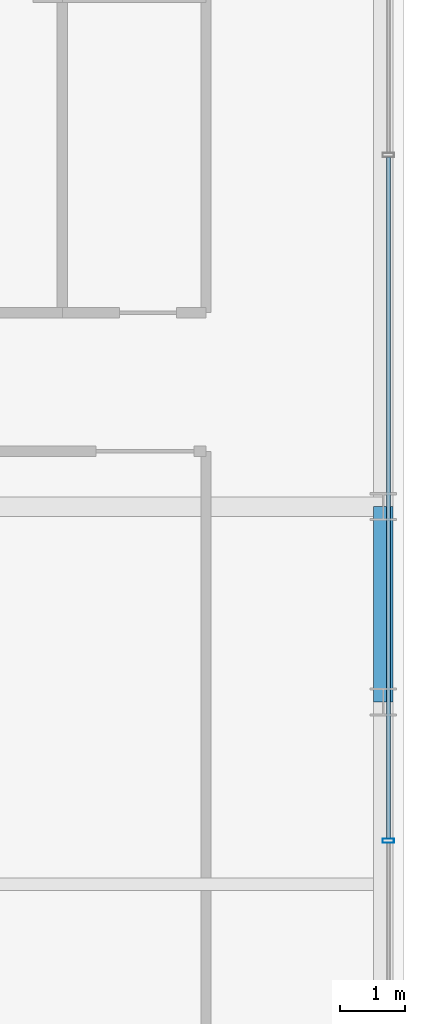
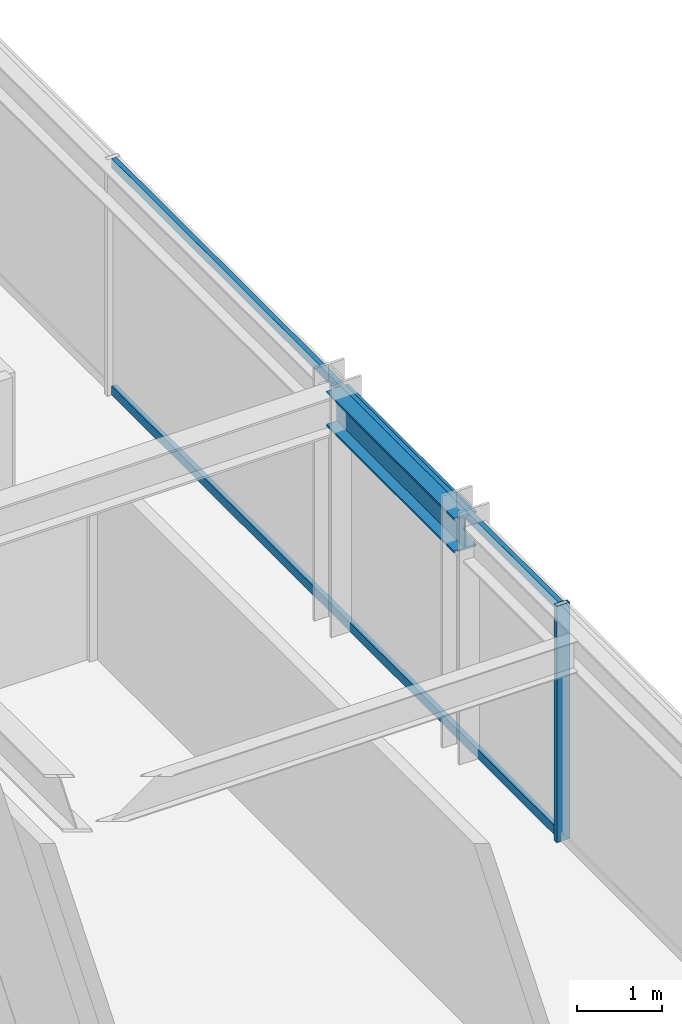
# One storey, part 14 of 31: 3 members, 1 beam, 1 element without a shape of its own.
"""IFC4 building model written with IfcOpenShell, lengths in metres."""

from ifc_helpers import new_model, si_unit, direction, frame, origin, origin_2d, place, context, subcontext, project, spatial, hollow_rectangle, i_section, extrude, source, transform, mapped, material, material_profile, profile_set, type_object, element, aggregate, save


model = new_model("IFC4")

# Units and contexts
model_context = context("Model", 3, precision=1e-05, world=origin(), true_north=direction((0.0, 1.0)))
body_context = subcontext(model_context, "Body", "Model", "MODEL_VIEW")
ifc_project = project(units=[si_unit("LENGTHUNIT", "METRE"), si_unit("AREAUNIT", "SQUARE_METRE"), si_unit("VOLUMEUNIT", "CUBIC_METRE"), si_unit("PLANEANGLEUNIT", "RADIAN"), si_unit("MASSUNIT", "GRAM", prefix="KILO")], contexts=[model_context])

# Site, building, storey
site_placement = place(None, origin())
site = spatial("IfcSite", under=ifc_project, at=site_placement, CompositionType="ELEMENT")
building_placement = place(site_placement, origin())
building = spatial("IfcBuilding", under=site, at=building_placement, Name="Nahalor Promenade Grand Hotel", CompositionType="ELEMENT")
storey_placement = place(building_placement, frame((0.0, 0.0, 95.60009765625)))
storey = spatial("IfcBuildingStorey", under=building, at=storey_placement, Name="L23", CompositionType="ELEMENT", Elevation=95.60009765625)

# Beam
ifc_material_1 = material(Name="Steel S355JR", Category="steel")
ifc_material_profile_1 = material_profile(ifc_material_1, i_section(OverallWidth=0.3, OverallDepth=0.5, WebThickness=0.0145, FlangeThickness=0.028, at=origin_2d()), Name="HEB 500")
ifc_profile_set_1 = profile_set([ifc_material_profile_1], Name="Steel S355JR")
beam_type = type_object("IfcBeamType", Name="Beam-Spandrel-HEB500", PredefinedType="SPANDREL", material=ifc_profile_set_1)
shared_shape_1 = source(origin(), body_context, "Body", "SweptSolid", [
    extrude(i_section(OverallWidth=0.3, OverallDepth=0.5, WebThickness=0.0145, FlangeThickness=0.028, at=origin_2d()), origin(), (0.0, 0.0, 1.0), 3.0),
])
beam_placement = place(storey_placement, frame((23.780029296875, -8.39990234375, 3.1298828125), z_axis=(0.0, 1.0, 0.0), x_axis=(-1.0, 0.0, 0.0)))
element("IfcBeam", 1, at=beam_placement, inside=storey, type_object=beam_type, Name="BM-L23-SP-E-1", PredefinedType="SPANDREL", context=body_context, shape_type="MappedRepresentation", body=[
    mapped(shared_shape_1, transform((0.0, 0.0, 0.0), scale=1.0)),
])

# Curtain wall, members
ifc_material_2 = material(Name="Anodised Bronze Aluminium EN AW-6063 T6", Category="aluminium")
curtain_wall_type = type_object("IfcCurtainWallType", Name="CW2 Typical Hotel Flush Bronze Unitised Curtain Wall", PredefinedType="USERDEFINED", material=ifc_material_2)
curtain_wall_placement = place(storey_placement, origin())
curtain_wall = element("IfcCurtainWall", 2, at=curtain_wall_placement, inside=storey, type_object=curtain_wall_type, Name="L23 Curtain Wall CW-L23-E-1", ObjectType="UNITISED_CURTAIN_WALL", PredefinedType="USERDEFINED")
ifc_material_profile_2 = material_profile(ifc_material_2, hollow_rectangle(XDim=0.065, YDim=0.18, WallThickness=0.004, at=origin_2d()), Name="CWM 65x180x4")
ifc_profile_set_2 = profile_set([ifc_material_profile_2], Name="Anodised Bronze Aluminium EN AW-6063 T6")
member_type_1 = type_object("IfcMemberType", Name="CWM2 Typical Bronze Mullion 65x180", PredefinedType="MULLION", material=ifc_profile_set_2)
shared_shape_2 = source(origin(), body_context, "Body", "SweptSolid", [
    extrude(hollow_rectangle(XDim=0.065, YDim=0.18, WallThickness=0.004, at=origin_2d()), origin(), (0.0, 0.0, 1.0), 3.3798828125),
])
member_1_placement = place(storey_placement, frame((23.860107421875, -10.530029296875, 0.0), z_axis=(0.0, 0.0, 1.0), x_axis=(0.0, 1.0, 0.0)))
member_1 = element("IfcMember", 3, at=member_1_placement, type_object=member_type_1, Name="CW-L23-E-1 Mullion 1", PredefinedType="MULLION", context=body_context, shape_type="MappedRepresentation", body=[
    mapped(shared_shape_2, transform((0.0, 0.0, 0.0), scale=1.0)),
])
ifc_material_profile_3 = material_profile(ifc_material_2, hollow_rectangle(XDim=0.065, YDim=0.13, WallThickness=0.004, at=origin_2d()), Name="CWT 65x130x4")
ifc_profile_set_3 = profile_set([ifc_material_profile_3], Name="Anodised Bronze Aluminium EN AW-6063 T6")
member_type_2 = type_object("IfcMemberType", Name="CWT2 Typical Bronze Transom 65x130", PredefinedType="USERDEFINED", material=ifc_profile_set_3)
shared_shape_3 = source(origin(), body_context, "Body", "SweptSolid", [
    extrude(hollow_rectangle(XDim=0.065, YDim=0.13, WallThickness=0.004, at=origin_2d()), origin(), (0.0, 0.0, 1.0), 10.465087890625),
])
member_2_placement = place(storey_placement, frame((23.860107421875, -10.49755859375, 0.06494140625), z_axis=(0.0, 1.0, 0.0), x_axis=(-1.0, 0.0, 0.0)))
member_2 = element("IfcMember", 4, at=member_2_placement, type_object=member_type_2, Name="CW-L23-E-1 Transom 1-0", ObjectType="TRANSOM", PredefinedType="USERDEFINED", context=body_context, shape_type="MappedRepresentation", body=[
    mapped(shared_shape_3, transform((0.0, 0.0, 0.0), scale=1.0)),
])
member_3_placement = place(storey_placement, frame((23.860107421875, -10.49755859375, 3.31494140625), z_axis=(0.0, 1.0, 0.0), x_axis=(-1.0, 0.0, 0.0)))
member_3 = element("IfcMember", 5, at=member_3_placement, type_object=member_type_2, Name="CW-L23-E-1 Transom 1-1", ObjectType="TRANSOM", PredefinedType="USERDEFINED", context=body_context, shape_type="MappedRepresentation", body=[
    mapped(shared_shape_3, transform((0.0, 0.0, 0.0), scale=1.0)),
])
aggregate(curtain_wall, [member_1, member_2, member_3])

save(model, "model.ifc")
